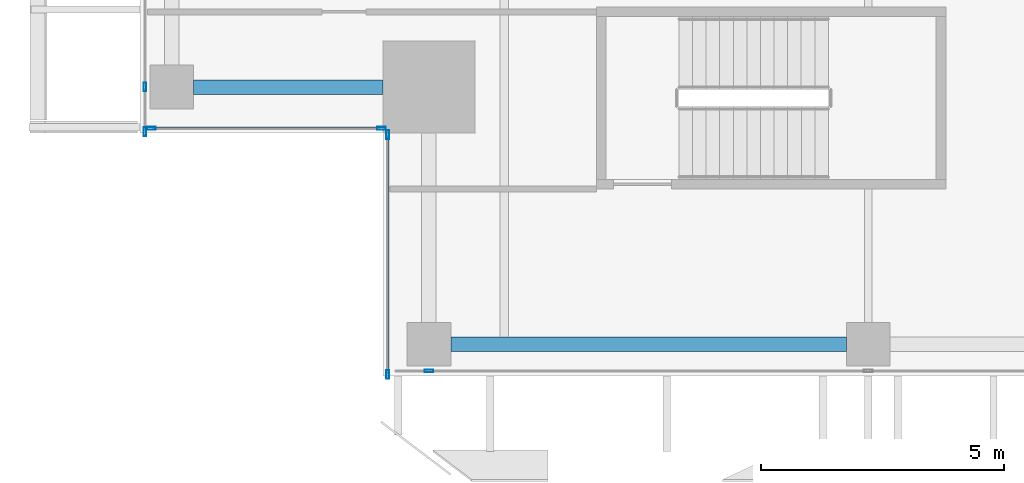
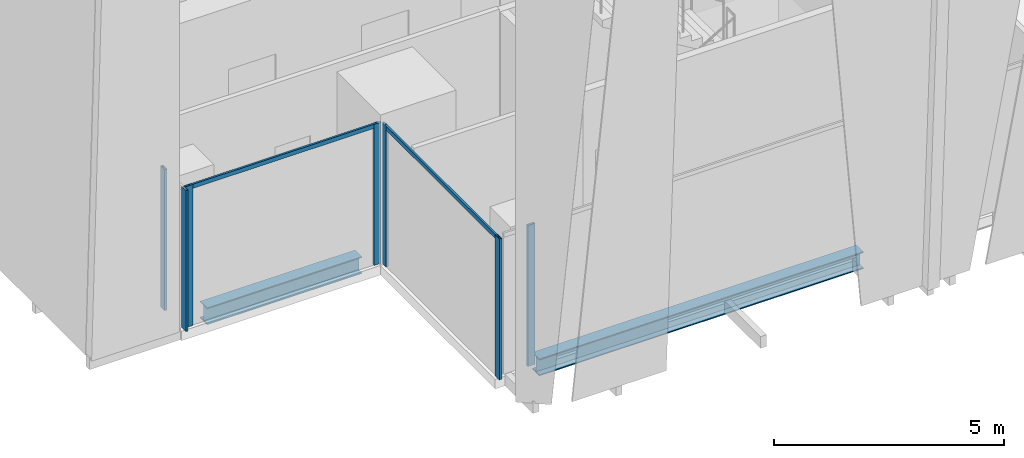
# One storey, part 2 of 33: 9 members, 2 beams, 4 elements without a shape of their own.
"""IFC4 building model written with IfcOpenShell, lengths in metres."""

from ifc_helpers import new_model, si_unit, direction, frame, origin, origin_2d, place, context, subcontext, project, spatial, hollow_rectangle, i_section, extrude, source, transform, mapped, material, material_profile, profile_set, type_object, element, aggregate, save


model = new_model("IFC4")

# Units and contexts
model_context = context("Model", 3, precision=1e-05, world=origin(), true_north=direction((0.0, 1.0)))
body_context = subcontext(model_context, "Body", "Model", "MODEL_VIEW")
ifc_project = project(units=[si_unit("LENGTHUNIT", "METRE"), si_unit("AREAUNIT", "SQUARE_METRE"), si_unit("VOLUMEUNIT", "CUBIC_METRE"), si_unit("PLANEANGLEUNIT", "RADIAN"), si_unit("MASSUNIT", "GRAM", prefix="KILO")], contexts=[model_context])

# Site, building, storey
site_placement = place(None, origin())
site = spatial("IfcSite", under=ifc_project, at=site_placement, CompositionType="ELEMENT")
building_placement = place(site_placement, origin())
building = spatial("IfcBuilding", under=site, at=building_placement, Name="Khomas Fold Tower", CompositionType="ELEMENT")
storey_placement = place(building_placement, frame((0.0, 0.0, 234.199951171875)))
storey = spatial("IfcBuildingStorey", under=building, at=storey_placement, Name="L52", CompositionType="ELEMENT", Elevation=234.199951171875)

# Beams
ifc_material_1 = material(Name="Steel S355", Category="steel")
ifc_material_profile_1 = material_profile(ifc_material_1, i_section(OverallWidth=0.300048828125, OverallDepth=0.449951171875, WebThickness=0.013916015625, FlangeThickness=0.02587890625, at=origin_2d()), Name="HE 450 B")
ifc_profile_set_1 = profile_set([ifc_material_profile_1], Name="Steel S355")
beam_type = type_object("IfcBeamType", Name="HE 450 B spandrel SB4", PredefinedType="SPANDREL", material=ifc_profile_set_1)
shared_shape_1 = source(origin(), body_context, "Body", "SweptSolid", [
    extrude(i_section(OverallWidth=0.300048828125, OverallDepth=0.449951171875, WebThickness=0.013916015625, FlangeThickness=0.02587890625, at=origin_2d()), origin(), (0.0, 0.0, 1.0), 8.150146484375),
])
beam_1_placement = place(storey_placement, frame((10.89990234375, 5.14990234375, -0.474853515625), z_axis=(1.0, 0.0, 0.0), x_axis=(0.0, 1.0, 0.0)))
element("IfcBeam", 1, at=beam_1_placement, inside=storey, type_object=beam_type, Name="SB4", PredefinedType="SPANDREL", context=body_context, shape_type="MappedRepresentation", body=[
    mapped(shared_shape_1, transform((0.0, 0.0, 0.0))),
])
shared_shape_2 = source(origin(), body_context, "Body", "SweptSolid", [
    extrude(i_section(OverallWidth=0.300048828125, OverallDepth=0.449951171875, WebThickness=0.013916015625, FlangeThickness=0.02587890625, at=origin_2d()), origin(), (0.0, 0.0, 1.0), 3.89990234375),
])
beam_2_placement = place(storey_placement, frame((5.60009765625, 10.449951171875, -0.474853515625), z_axis=(1.0, 0.0, 0.0), x_axis=(0.0, 1.0, 0.0)))
element("IfcBeam", 2, at=beam_2_placement, inside=storey, type_object=beam_type, Name="SB4", PredefinedType="SPANDREL", context=body_context, shape_type="MappedRepresentation", body=[
    mapped(shared_shape_2, transform((0.0, 0.0, 0.0))),
])

# Curtain wall, member
ifc_material_2 = material(Name="Aluminium framed double glazing", Category="aluminium")
curtain_wall_type = type_object("IfcCurtainWallType", Name="SK-Unitised clear-glass wall, office floors CW2", PredefinedType="NOTDEFINED", material=ifc_material_2)
curtain_wall_1_placement = place(storey_placement, origin())
curtain_wall_1 = element("IfcCurtainWall", 3, at=curtain_wall_1_placement, inside=storey, type_object=curtain_wall_type, Name="CW2 run L52 00-0", PredefinedType="NOTDEFINED")
ifc_material_3 = material(Name="Aluminium", Category="aluminium")
ifc_material_profile_2 = material_profile(ifc_material_3, hollow_rectangle(XDim=0.06005859375, YDim=0.179931640625, WallThickness=0.00390625, at=origin_2d()), Name="SK-Unitised clear-glass wall, office floors mullion CW2-M")
ifc_profile_set_2 = profile_set([ifc_material_profile_2], Name="Aluminium")
member_type_1 = type_object("IfcMemberType", Name="SK-Unitised clear-glass wall, office floors mullion CW2-M", PredefinedType="MULLION", material=ifc_profile_set_2)
shared_shape_3 = source(origin(), body_context, "Body", "SweptSolid", [
    extrude(hollow_rectangle(XDim=0.06005859375, YDim=0.179931640625, WallThickness=0.00390625, at=origin_2d()), origin(), (0.0, 0.0, 1.0), 3.75),
])
member_1_placement = place(storey_placement, frame((10.449951171875, 4.60009765625, 0.0), z_axis=(0.0, 0.0, 1.0), x_axis=(0.0, 1.0, 0.0)))
member_1 = element("IfcMember", 4, at=member_1_placement, type_object=member_type_1, Name="CW2 mullion 2", PredefinedType="MULLION", context=body_context, shape_type="MappedRepresentation", body=[
    mapped(shared_shape_3, transform((0.0, 0.0, 0.0))),
])
aggregate(curtain_wall_1, [member_1])

# Curtain wall, members
curtain_wall_2_placement = place(storey_placement, origin())
curtain_wall_2 = element("IfcCurtainWall", 5, at=curtain_wall_2_placement, inside=storey, type_object=curtain_wall_type, Name="CW2 run L52 09-0", PredefinedType="NOTDEFINED")
member_2_placement = place(storey_placement, frame((4.60009765625, 10.449951171875, 0.0), z_axis=(0.0, 0.0, 1.0), x_axis=(1.0, 0.0, 0.0)))
member_2 = element("IfcMember", 6, at=member_2_placement, type_object=member_type_1, Name="CW2 mullion 6", PredefinedType="MULLION", context=body_context, shape_type="MappedRepresentation", body=[
    mapped(shared_shape_3, transform((0.0, 0.0, 0.0))),
])
member_3_placement = place(storey_placement, frame((4.60009765625, 9.530029296875, 0.0), z_axis=(0.0, 0.0, 1.0), x_axis=(1.0, 0.0, 0.0)))
member_3 = element("IfcMember", 7, at=member_3_placement, type_object=member_type_1, Name="CW2 mullion 7", PredefinedType="MULLION", context=body_context, shape_type="MappedRepresentation", body=[
    mapped(shared_shape_3, transform((0.0, 0.0, 0.0))),
])
aggregate(curtain_wall_2, [member_2, member_3])

curtain_wall_3_placement = place(storey_placement, origin())
curtain_wall_3 = element("IfcCurtainWall", 8, at=curtain_wall_3_placement, inside=storey, type_object=curtain_wall_type, Name="CW2 corner return L52 10", PredefinedType="NOTDEFINED")
member_4_placement = place(storey_placement, frame((4.72998046875, 9.60009765625, 0.0), z_axis=(0.0, 0.0, 1.0), x_axis=(0.0, 1.0, 0.0)))
member_4 = element("IfcMember", 9, at=member_4_placement, type_object=member_type_1, Name="CW2 mullion 1", PredefinedType="MULLION", context=body_context, shape_type="MappedRepresentation", body=[
    mapped(shared_shape_3, transform((0.0, 0.0, 0.0))),
])
member_5_placement = place(storey_placement, frame((9.469970703125, 9.60009765625, 0.0), z_axis=(0.0, 0.0, 1.0), x_axis=(0.0, 1.0, 0.0)))
member_5 = element("IfcMember", 10, at=member_5_placement, type_object=member_type_1, Name="CW2 mullion 2", PredefinedType="MULLION", context=body_context, shape_type="MappedRepresentation", body=[
    mapped(shared_shape_3, transform((0.0, 0.0, 0.0))),
])

curtain_wall_4_placement = place(storey_placement, origin())
curtain_wall_4 = element("IfcCurtainWall", 11, at=curtain_wall_4_placement, inside=storey, type_object=curtain_wall_type, Name="CW2 corner return L52 11", PredefinedType="NOTDEFINED")
member_6_placement = place(storey_placement, frame((9.60009765625, 9.469970703125, 0.0), z_axis=(0.0, 0.0, 1.0), x_axis=(1.0, 0.0, 0.0)))
member_6 = element("IfcMember", 12, at=member_6_placement, type_object=member_type_1, Name="CW2 mullion 1", PredefinedType="MULLION", context=body_context, shape_type="MappedRepresentation", body=[
    mapped(shared_shape_3, transform((0.0, 0.0, 0.0))),
])
member_7_placement = place(storey_placement, frame((9.60009765625, 4.530029296875, 0.0), z_axis=(0.0, 0.0, 1.0), x_axis=(1.0, 0.0, 0.0)))
member_7 = element("IfcMember", 13, at=member_7_placement, type_object=member_type_1, Name="CW2 mullion 2", PredefinedType="MULLION", context=body_context, shape_type="MappedRepresentation", body=[
    mapped(shared_shape_3, transform((0.0, 0.0, 0.0))),
])

# Member
ifc_material_4 = material(Name="Aluminium", Category="aluminium")
ifc_material_profile_3 = material_profile(ifc_material_4, hollow_rectangle(XDim=0.050048828125, YDim=0.110107421875, WallThickness=0.00390625, at=origin_2d()), Name="SK-Unitised clear-glass wall, office floors transom CW2-T")
ifc_profile_set_3 = profile_set([ifc_material_profile_3], Name="Aluminium")
member_type_2 = type_object("IfcMemberType", Name="SK-Unitised clear-glass wall, office floors transom CW2-T", PredefinedType="USERDEFINED", material=ifc_profile_set_3)
shared_shape_4 = source(origin(), body_context, "Body", "SweptSolid", [
    extrude(hollow_rectangle(XDim=0.050048828125, YDim=0.110107421875, WallThickness=0.00390625, at=origin_2d()), origin(), (0.0, 0.0, 1.0), 4.679931640625),
])
member_8_placement = place(storey_placement, frame((4.760009765625, 9.60009765625, 3.695068359375), z_axis=(1.0, 0.0, 0.0), x_axis=(0.0, 1.0, 0.0)))
member_8 = element("IfcMember", 14, at=member_8_placement, type_object=member_type_2, Name="CW2 transom 1", ObjectType="TRANSOM", PredefinedType="USERDEFINED", context=body_context, shape_type="MappedRepresentation", body=[
    mapped(shared_shape_4, transform((0.0, 0.0, 0.0))),
])

aggregate(curtain_wall_3, [member_4, member_5, member_8])

shared_shape_5 = source(origin(), body_context, "Body", "SweptSolid", [
    extrude(hollow_rectangle(XDim=0.050048828125, YDim=0.110107421875, WallThickness=0.00390625, at=origin_2d()), origin(), (0.0, 0.0, 1.0), 4.8798828125),
])
member_9_placement = place(storey_placement, frame((9.60009765625, 9.43994140625, 3.695068359375), z_axis=(0.0, -1.0, 0.0), x_axis=(1.0, 0.0, 0.0)))
member_9 = element("IfcMember", 15, at=member_9_placement, type_object=member_type_2, Name="CW2 transom 1", ObjectType="TRANSOM", PredefinedType="USERDEFINED", context=body_context, shape_type="MappedRepresentation", body=[
    mapped(shared_shape_5, transform((0.0, 0.0, 0.0))),
])

aggregate(curtain_wall_4, [member_6, member_7, member_9])

save(model, "model.ifc")
